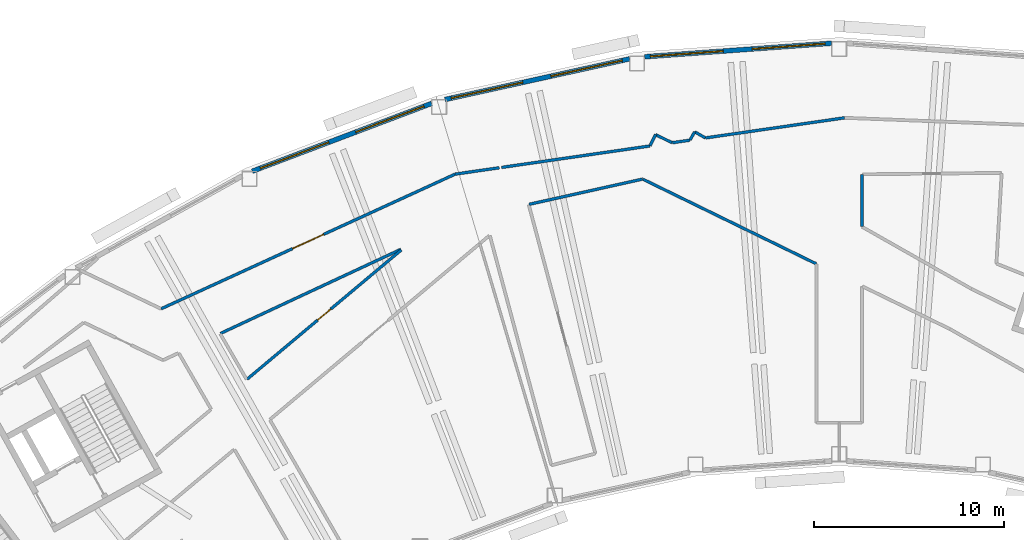
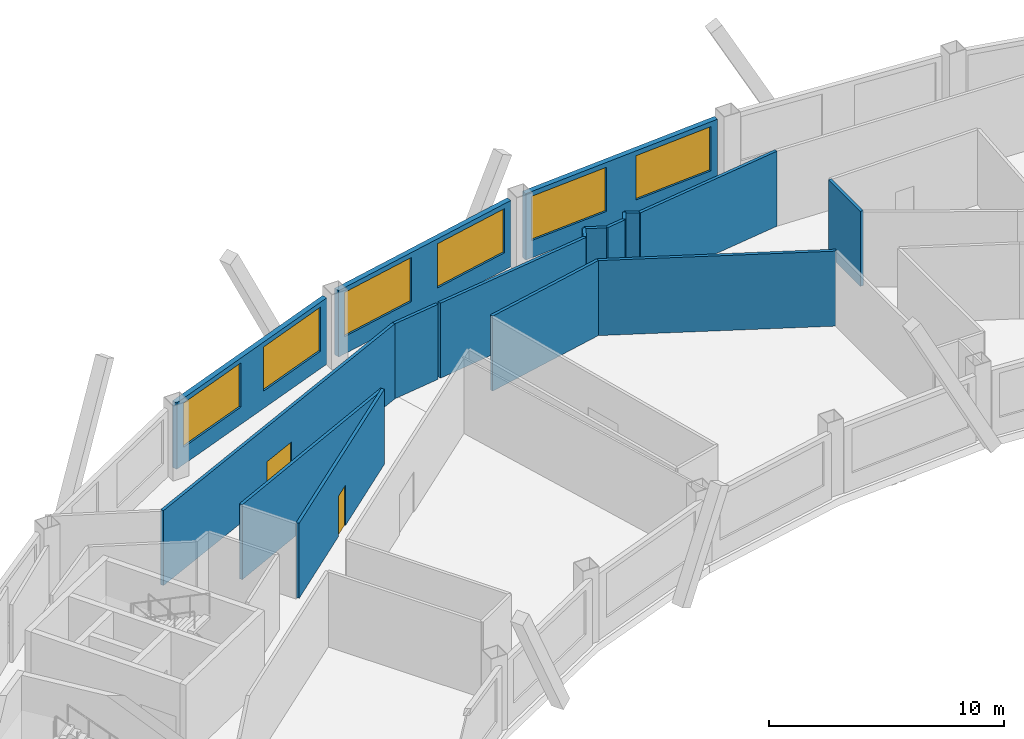
# One storey, part 7 of 13: 17 walls, 6 windows, 2 doors, 8 openings.
"""IFC4 building model written with IfcOpenShell, lengths in metres."""

from ifc_helpers import new_model, si_unit, direction, frame, frame_2d, origin, place, context, subcontext, project, spatial, rectangle, extrude, material, layer, layer_set, type_object, element, fill, save


model = new_model("IFC4")

# Units and contexts
model_context = context("Model", 3, precision=1e-05, world=origin(), true_north=direction((0.0, 1.0)))
body_context = subcontext(model_context, "Body", "Model", "MODEL_VIEW")
ifc_project = project(units=[si_unit("LENGTHUNIT", "METRE"), si_unit("AREAUNIT", "SQUARE_METRE"), si_unit("VOLUMEUNIT", "CUBIC_METRE"), si_unit("PLANEANGLEUNIT", "RADIAN"), si_unit("MASSUNIT", "GRAM", prefix="KILO")], contexts=[model_context])

# Site, building, storey
site_placement = place(None, origin())
site = spatial("IfcSite", under=ifc_project, at=site_placement, CompositionType="ELEMENT")
building_placement = place(site_placement, origin())
building = spatial("IfcBuilding", under=site, at=building_placement, Name="Tuul Gate Civic Tower", CompositionType="ELEMENT")
storey_placement = place(building_placement, frame((0.0, 0.0, 248.39990234375)))
storey = spatial("IfcBuildingStorey", under=building, at=storey_placement, Name="Level 56", CompositionType="ELEMENT", Elevation=248.39990234375)

# Walls
ifc_material_1 = material(Name="Gypsum board partition")
ifc_layer_1 = layer(ifc_material_1, 0.14990234375)
ifc_layer_set_1 = layer_set([ifc_layer_1], Name="Gypsum board partition")
wall_type_1 = type_object("IfcWallType", Name="Corridor wall P150", PredefinedType="PARTITIONING", material=ifc_layer_set_1)
wall_1_placement = place(storey_placement, frame((-9.205810546875, 6.873779296875, 0.0), z_axis=(0.0, 0.0, 1.0), x_axis=(0.989702683531, 0.143138388323, 0.0)))
element("IfcWall", 1, at=wall_1_placement, inside=storey, type_object=wall_type_1, Name="p015", PredefinedType="PARTITIONING", context=body_context, shape_type="SweptSolid", body=[
    extrude(rectangle(XDim=2.3486328125, YDim=0.14990234375, at=frame_2d((1.17431640625, 0.0))), origin(), (0.0, 0.0, 1.0), 3.900146484375),
])
wall_2_placement = place(storey_placement, frame((-6.75732421875, 7.227783203125, 0.0), z_axis=(0.0, 0.0, 1.0), x_axis=(0.989700467322, 0.143153711035, 0.0)))
element("IfcWall", 2, at=wall_2_placement, inside=storey, type_object=wall_type_1, Name="p016", PredefinedType="PARTITIONING", context=body_context, shape_type="SweptSolid", body=[
    extrude(rectangle(XDim=7.89111328125, YDim=0.14990234375, at=frame_2d((3.945556640625, 0.0))), origin(), (0.0, 0.0, 1.0), 3.900146484375),
])
wall_3_placement = place(storey_placement, frame((2.234130859375, 8.5283203125, 0.0), z_axis=(0.0, 0.0, 1.0), x_axis=(0.989713603091, 0.143062866798, 0.0)))
element("IfcWall", 3, at=wall_3_placement, inside=storey, type_object=wall_type_1, Name="p017", PredefinedType="PARTITIONING", context=body_context, shape_type="SweptSolid", body=[
    extrude(rectangle(XDim=0.936767578125, YDim=0.14990234375, at=frame_2d((0.46826171875, 0.0))), origin(), (0.0, 0.0, 1.0), 3.900146484375),
])
wall_4_placement = place(storey_placement, frame((3.98828125, 8.781982421875, 0.0), z_axis=(0.0, 0.0, 1.0), x_axis=(0.989707294465, 0.143106503289, 0.0)))
element("IfcWall", 4, at=wall_4_placement, inside=storey, type_object=wall_type_1, Name="p018", PredefinedType="PARTITIONING", context=body_context, shape_type="SweptSolid", body=[
    extrude(rectangle(XDim=7.40234375, YDim=0.14990234375, at=frame_2d((3.701171875, 0.0))), origin(), (0.0, 0.0, 1.0), 3.900146484375),
])
wall_5_placement = place(storey_placement, frame((3.415283203125, 9.103515625, 0.0), z_axis=(0.0, 0.0, 1.0), x_axis=(0.869611396189, -0.493736791842, 0.0)))
element("IfcWall", 5, at=wall_5_placement, inside=storey, type_object=wall_type_1, Name="p019", PredefinedType="PARTITIONING", context=body_context, shape_type="SweptSolid", body=[
    extrude(rectangle(XDim=0.646240234375, YDim=0.14990234375, at=frame_2d((0.3232421875, 0.0))), origin(), (0.0, 0.0, 1.0), 3.900146484375),
])
wall_6_placement = place(storey_placement, frame((3.170166015625, 8.67138671875, 0.0), z_axis=(0.0, 0.0, 1.0), x_axis=(0.4933845008, 0.869811321132, 0.0)))
element("IfcWall", 6, at=wall_6_placement, inside=storey, type_object=wall_type_1, Name="p023", PredefinedType="PARTITIONING", context=body_context, shape_type="SweptSolid", body=[
    extrude(rectangle(XDim=0.496826171875, YDim=0.14990234375, at=frame_2d((0.24853515625, 0.0))), origin(), (0.0, 0.0, 1.0), 3.900146484375),
])
wall_7_placement = place(storey_placement, frame((1.352783203125, 8.955810546875, 0.0), z_axis=(0.0, 0.0, 1.0), x_axis=(0.898664420182, -0.438636820044, 0.0)))
element("IfcWall", 7, at=wall_7_placement, inside=storey, type_object=wall_type_1, Name="p024", PredefinedType="PARTITIONING", context=body_context, shape_type="SweptSolid", body=[
    extrude(rectangle(XDim=0.97021484375, YDim=0.14990234375, at=frame_2d((0.485107421875, 0.0))), origin(), (0.0, 0.0, 1.0), 3.900146484375),
])
wall_8_placement = place(storey_placement, frame((1.064697265625, 8.3662109375, 0.0), z_axis=(0.0, 0.0, 1.0), x_axis=(0.439009938904, 0.898482205469, 0.0)))
element("IfcWall", 8, at=wall_8_placement, inside=storey, type_object=wall_type_1, Name="p026", PredefinedType="PARTITIONING", context=body_context, shape_type="SweptSolid", body=[
    extrude(rectangle(XDim=0.65625, YDim=0.14990234375, at=frame_2d((0.328125, 0.0))), origin(), (0.0, 0.0, 1.0), 3.900146484375),
])

# Wall, opening, door
wall_9_placement = place(storey_placement, frame((-20.170654296875, -3.934814453125, 0.0), z_axis=(0.0, 0.0, 1.0), x_axis=(0.766335865678, 0.642440145831, 0.0)))
wall_9 = element("IfcWall", 9, at=wall_9_placement, inside=storey, type_object=wall_type_1, Name="p028", PredefinedType="PARTITIONING", context=body_context, shape_type="SweptSolid", body=[
    extrude(rectangle(XDim=10.611328125, YDim=0.14990234375, at=frame_2d((5.3056640625, 0.0))), origin(), (0.0, 0.0, 1.0), 3.900146484375),
])
opening_1_placement = place(wall_9_placement, frame((4.855712890625, 0.0, 0.0)))
opening_1 = element("IfcOpeningElement", 10, at=opening_1_placement, cuts=wall_9, Name="Opening U-D11", PredefinedType="OPENING", context=body_context, shape_type="SweptSolid", body=[
    extrude(rectangle(XDim=0.89990234375, YDim=2.10009765625, at=frame_2d((0.449951171875, 1.050048828125))), frame((0.0, 0.0849609375, 0.0), z_axis=(0.0, -1.0, 0.0), x_axis=(1.0, 0.0, 0.0)), (0.0, 0.0, 1.0), 0.169921875),
])
ifc_material_2 = material(Name="Timber door leaf", Category="wood")
door_type_1 = type_object("IfcDoorType", Name="Door D09", OperationType="NOTDEFINED", PredefinedType="DOOR", material=ifc_material_2)
door_1_placement = place(opening_1_placement, origin())
door_1 = element("IfcDoor", 11, at=door_1_placement, inside=storey, type_object=door_type_1, Name="Door U-D11", OperationType="SINGLE_SWING_RIGHT", OverallHeight=2.10009765625, OverallWidth=0.89990234375, PredefinedType="DOOR", context=body_context, shape_type="SweptSolid", body=[
    extrude(rectangle(XDim=0.89990234375, YDim=2.10009765625, at=frame_2d((0.449951171875, 1.050048828125))), frame((0.0, 0.02490234375, 0.0), z_axis=(0.0, -1.0, 0.0), x_axis=(1.0, 0.0, 0.0)), (0.0, 0.0, 1.0), 0.050048828125),
])
fill(opening_1, door_1)

wall_10_placement = place(storey_placement, frame((-24.694091796875, -0.219970703125, 0.0), z_axis=(0.0, 0.0, 1.0), x_axis=(0.909182398531, 0.416398086212, 0.0)))
wall_10 = element("IfcWall", 12, at=wall_10_placement, inside=storey, type_object=wall_type_1, Name="p029", PredefinedType="PARTITIONING", context=body_context, shape_type="SweptSolid", body=[
    extrude(rectangle(XDim=17.035400390625, YDim=0.14990234375, at=frame_2d((8.517578125, 0.0))), origin(), (0.0, 0.0, 1.0), 3.900146484375),
])
opening_2_placement = place(wall_10_placement, frame((7.61767578125, 0.0, 0.0)))
opening_2 = element("IfcOpeningElement", 13, at=opening_2_placement, cuts=wall_10, Name="Opening U-D05", PredefinedType="OPENING", context=body_context, shape_type="SweptSolid", body=[
    extrude(rectangle(XDim=1.800048828125, YDim=2.10009765625, at=frame_2d((0.89990234375, 1.050048828125))), frame((0.0, 0.0849609375, 0.0), z_axis=(0.0, -1.0, 0.0), x_axis=(1.0, 0.0, 0.0)), (0.0, 0.0, 1.0), 0.169921875),
])
ifc_material_3 = material(Name="Timber door leaf, double", Category="wood")
door_type_2 = type_object("IfcDoorType", Name="Door D18", OperationType="DOUBLE_DOOR_SINGLE_SWING", PredefinedType="DOOR", material=ifc_material_3)
door_2_placement = place(opening_2_placement, origin())
door_2 = element("IfcDoor", 14, at=door_2_placement, inside=storey, type_object=door_type_2, Name="Door U-D05", OperationType="DOUBLE_DOOR_SINGLE_SWING", OverallHeight=2.10009765625, OverallWidth=1.800048828125, PredefinedType="DOOR", context=body_context, shape_type="SweptSolid", body=[
    extrude(rectangle(XDim=1.800048828125, YDim=2.10009765625, at=frame_2d((0.89990234375, 1.050048828125))), frame((0.0, 0.02490234375, 0.0), z_axis=(0.0, -1.0, 0.0), x_axis=(1.0, 0.0, 0.0)), (0.0, 0.0, 1.0), 0.050048828125),
])
fill(opening_2, door_2)

# Walls
wall_11_placement = place(storey_placement, frame((12.23095703125, 4.1123046875, 0.0), z_axis=(0.0, 0.0, 1.0), x_axis=(0.0, 1.0, 0.0)))
element("IfcWall", 15, at=wall_11_placement, inside=storey, type_object=wall_type_1, Name="p046", PredefinedType="PARTITIONING", context=body_context, shape_type="SweptSolid", body=[
    extrude(rectangle(XDim=2.732421875, YDim=0.14990234375, at=frame_2d((1.3662109375, 0.0))), origin(), (0.0, 0.0, 1.0), 3.900146484375),
])
wall_12_placement = place(storey_placement, frame((0.68212890625, 6.609375, 0.0), z_axis=(0.0, 0.0, 1.0), x_axis=(0.898674728338, -0.43861570041, 0.0)))
element("IfcWall", 16, at=wall_12_placement, inside=storey, type_object=wall_type_1, Name="p047", PredefinedType="PARTITIONING", context=body_context, shape_type="SweptSolid", body=[
    extrude(rectangle(XDim=10.167236328125, YDim=0.14990234375, at=frame_2d((5.08349609375, 0.0))), origin(), (0.0, 0.0, 1.0), 3.900146484375),
])
wall_13_placement = place(storey_placement, frame((-5.31103515625, 5.281982421875, 0.0), z_axis=(0.0, 0.0, 1.0), x_axis=(0.97611482286, 0.217255270574, 0.0)))
element("IfcWall", 17, at=wall_13_placement, inside=storey, type_object=wall_type_1, Name="p065", PredefinedType="PARTITIONING", context=body_context, shape_type="SweptSolid", body=[
    extrude(rectangle(XDim=6.1279296875, YDim=0.14990234375, at=frame_2d((3.06396484375, 0.0))), origin(), (0.0, 0.0, 1.0), 3.900146484375),
])
wall_14_placement = place(storey_placement, frame((-21.567626953125, -1.5185546875, 0.0), z_axis=(0.0, 0.0, 1.0), x_axis=(0.906275865887, 0.422686710118, 0.0)))
element("IfcWall", 18, at=wall_14_placement, inside=storey, type_object=wall_type_1, Name="p081", PredefinedType="PARTITIONING", context=body_context, shape_type="SweptSolid", body=[
    extrude(rectangle(XDim=10.49072265625, YDim=0.14990234375, at=frame_2d((5.245361328125, 0.0))), origin(), (0.0, 0.0, 1.0), 3.900146484375),
])

# Wall, openings, windows
ifc_material_4 = material(Name="Precast concrete C40/50", Category="concrete")
ifc_layer_2 = layer(ifc_material_4, 0.25)
ifc_layer_set_2 = layer_set([ifc_layer_2], Name="Precast concrete C40/50")
wall_type_2 = type_object("IfcWallType", Name="External wall", PredefinedType="STANDARD", material=ifc_layer_set_2)
wall_15_placement = place(storey_placement, frame((10.631103515625, 13.770751953125, 0.0), z_axis=(0.0, 0.0, 1.0), x_axis=(-0.997387687721, -0.072234343517, 0.0)))
wall_15 = element("IfcWall", 19, at=wall_15_placement, inside=storey, type_object=wall_type_2, Name="External wall", PredefinedType="STANDARD", context=body_context, shape_type="SweptSolid", body=[
    extrude(rectangle(XDim=9.8759765625, YDim=0.25, at=frame_2d((4.93798828125, 0.0))), origin(), (0.0, 0.0, 1.0), 3.4501953125),
])
opening_3_placement = place(wall_15_placement, frame((0.3505859375, 0.0, 0.89990234375)))
opening_3 = element("IfcOpeningElement", 20, at=opening_3_placement, cuts=wall_15, Name="Opening W22", PredefinedType="OPENING", context=body_context, shape_type="SweptSolid", body=[
    extrude(rectangle(XDim=3.85009765625, YDim=2.300048828125, at=frame_2d((1.925048828125, 1.14990234375))), frame((0.0, 0.135009765625, 0.0), z_axis=(0.0, -1.0, 0.0), x_axis=(1.0, 0.0, 0.0)), (0.0, 0.0, 1.0), 0.27001953125),
])
opening_4_placement = place(wall_15_placement, frame((5.72216796875, 0.0, 0.89990234375)))
opening_4 = element("IfcOpeningElement", 21, at=opening_4_placement, cuts=wall_15, Name="Opening W22", PredefinedType="OPENING", context=body_context, shape_type="SweptSolid", body=[
    extrude(rectangle(XDim=3.85009765625, YDim=2.300048828125, at=frame_2d((1.925048828125, 1.14990234375))), frame((0.0, 0.135009765625, 0.0), z_axis=(0.0, -1.0, 0.0), x_axis=(1.0, 0.0, 0.0)), (0.0, 0.0, 1.0), 0.27001953125),
])
ifc_material_5 = material(Name="Glass", Category="glass")
window_type = type_object("IfcWindowType", Name="Window W22 3850 x 2300", PartitioningType="SINGLE_PANEL", PredefinedType="WINDOW", material=ifc_material_5)
window_1_placement = place(opening_3_placement, origin())
window_1 = element("IfcWindow", 22, at=window_1_placement, inside=storey, type_object=window_type, Name="Window", OverallHeight=2.300048828125, OverallWidth=3.85009765625, PartitioningType="SINGLE_PANEL", PredefinedType="WINDOW", context=body_context, shape_type="SweptSolid", body=[
    extrude(rectangle(XDim=3.85009765625, YDim=2.300048828125, at=frame_2d((1.925048828125, 1.14990234375))), frame((0.0, 0.030029296875, 0.0), z_axis=(0.0, -1.0, 0.0), x_axis=(1.0, 0.0, 0.0)), (0.0, 0.0, 1.0), 0.06005859375),
])
fill(opening_3, window_1)
window_2_placement = place(opening_4_placement, origin())
window_2 = element("IfcWindow", 23, at=window_2_placement, inside=storey, type_object=window_type, Name="Window", OverallHeight=2.300048828125, OverallWidth=3.85009765625, PartitioningType="SINGLE_PANEL", PredefinedType="WINDOW", context=body_context, shape_type="SweptSolid", body=[
    extrude(rectangle(XDim=3.85009765625, YDim=2.300048828125, at=frame_2d((1.925048828125, 1.14990234375))), frame((0.0, 0.030029296875, 0.0), z_axis=(0.0, -1.0, 0.0), x_axis=(1.0, 0.0, 0.0)), (0.0, 0.0, 1.0), 0.06005859375),
])
fill(opening_4, window_2)

wall_16_placement = place(storey_placement, frame((-0.01904296875, 12.947265625, 0.0), z_axis=(0.0, 0.0, 1.0), x_axis=(-0.976559045146, -0.215249695339, 0.0)))
wall_16 = element("IfcWall", 24, at=wall_16_placement, inside=storey, type_object=wall_type_2, Name="External wall", PredefinedType="STANDARD", context=body_context, shape_type="SweptSolid", body=[
    extrude(rectangle(XDim=9.952880859375, YDim=0.25, at=frame_2d((4.9765625, 0.0))), origin(), (0.0, 0.0, 1.0), 3.4501953125),
])
opening_5_placement = place(wall_16_placement, frame((0.389892578125, 0.0, 0.89990234375)))
opening_5 = element("IfcOpeningElement", 25, at=opening_5_placement, cuts=wall_16, Name="Opening W22", PredefinedType="OPENING", context=body_context, shape_type="SweptSolid", body=[
    extrude(rectangle(XDim=3.85009765625, YDim=2.300048828125, at=frame_2d((1.925048828125, 1.14990234375))), frame((0.0, 0.135009765625, 0.0), z_axis=(0.0, -1.0, 0.0), x_axis=(1.0, 0.0, 0.0)), (0.0, 0.0, 1.0), 0.27001953125),
])
opening_6_placement = place(wall_16_placement, frame((5.7607421875, 0.0, 0.89990234375)))
opening_6 = element("IfcOpeningElement", 26, at=opening_6_placement, cuts=wall_16, Name="Opening W22", PredefinedType="OPENING", context=body_context, shape_type="SweptSolid", body=[
    extrude(rectangle(XDim=3.85009765625, YDim=2.300048828125, at=frame_2d((1.925048828125, 1.14990234375))), frame((0.0, 0.135009765625, 0.0), z_axis=(0.0, -1.0, 0.0), x_axis=(1.0, 0.0, 0.0)), (0.0, 0.0, 1.0), 0.27001953125),
])
window_3_placement = place(opening_5_placement, origin())
window_3 = element("IfcWindow", 27, at=window_3_placement, inside=storey, type_object=window_type, Name="Window", OverallHeight=2.300048828125, OverallWidth=3.85009765625, PartitioningType="SINGLE_PANEL", PredefinedType="WINDOW", context=body_context, shape_type="SweptSolid", body=[
    extrude(rectangle(XDim=3.85009765625, YDim=2.300048828125, at=frame_2d((1.925048828125, 1.14990234375))), frame((0.0, 0.030029296875, 0.0), z_axis=(0.0, -1.0, 0.0), x_axis=(1.0, 0.0, 0.0)), (0.0, 0.0, 1.0), 0.06005859375),
])
fill(opening_5, window_3)
window_4_placement = place(opening_6_placement, origin())
window_4 = element("IfcWindow", 28, at=window_4_placement, inside=storey, type_object=window_type, Name="Window", OverallHeight=2.300048828125, OverallWidth=3.85009765625, PartitioningType="SINGLE_PANEL", PredefinedType="WINDOW", context=body_context, shape_type="SweptSolid", body=[
    extrude(rectangle(XDim=3.85009765625, YDim=2.300048828125, at=frame_2d((1.925048828125, 1.14990234375))), frame((0.0, 0.030029296875, 0.0), z_axis=(0.0, -1.0, 0.0), x_axis=(1.0, 0.0, 0.0)), (0.0, 0.0, 1.0), 0.06005859375),
])
fill(opening_6, window_4)

wall_17_placement = place(storey_placement, frame((-10.446044921875, 10.6005859375, 0.0), z_axis=(0.0, 0.0, 1.0), x_axis=(-0.935343984789, -0.353739494712, 0.0)))
wall_17 = element("IfcWall", 29, at=wall_17_placement, inside=storey, type_object=wall_type_2, Name="External wall", PredefinedType="STANDARD", context=body_context, shape_type="SweptSolid", body=[
    extrude(rectangle(XDim=10.099365234375, YDim=0.25, at=frame_2d((5.0498046875, 0.0))), origin(), (0.0, 0.0, 1.0), 3.4501953125),
])
opening_7_placement = place(wall_17_placement, frame((0.422607421875, 0.0, 0.89990234375)))
opening_7 = element("IfcOpeningElement", 30, at=opening_7_placement, cuts=wall_17, Name="Opening W22", PredefinedType="OPENING", context=body_context, shape_type="SweptSolid", body=[
    extrude(rectangle(XDim=3.85009765625, YDim=2.300048828125, at=frame_2d((1.925048828125, 1.14990234375))), frame((0.0, 0.135009765625, 0.0), z_axis=(0.0, -1.0, 0.0), x_axis=(1.0, 0.0, 0.0)), (0.0, 0.0, 1.0), 0.27001953125),
])
opening_8_placement = place(wall_17_placement, frame((5.7939453125, 0.0, 0.89990234375)))
opening_8 = element("IfcOpeningElement", 31, at=opening_8_placement, cuts=wall_17, Name="Opening W22", PredefinedType="OPENING", context=body_context, shape_type="SweptSolid", body=[
    extrude(rectangle(XDim=3.85009765625, YDim=2.300048828125, at=frame_2d((1.925048828125, 1.14990234375))), frame((0.0, 0.135009765625, 0.0), z_axis=(0.0, -1.0, 0.0), x_axis=(1.0, 0.0, 0.0)), (0.0, 0.0, 1.0), 0.27001953125),
])
window_5_placement = place(opening_7_placement, origin())
window_5 = element("IfcWindow", 32, at=window_5_placement, inside=storey, type_object=window_type, Name="Window", OverallHeight=2.300048828125, OverallWidth=3.85009765625, PartitioningType="SINGLE_PANEL", PredefinedType="WINDOW", context=body_context, shape_type="SweptSolid", body=[
    extrude(rectangle(XDim=3.85009765625, YDim=2.300048828125, at=frame_2d((1.925048828125, 1.14990234375))), frame((0.0, 0.030029296875, 0.0), z_axis=(0.0, -1.0, 0.0), x_axis=(1.0, 0.0, 0.0)), (0.0, 0.0, 1.0), 0.06005859375),
])
fill(opening_7, window_5)
window_6_placement = place(opening_8_placement, origin())
window_6 = element("IfcWindow", 33, at=window_6_placement, inside=storey, type_object=window_type, Name="Window", OverallHeight=2.300048828125, OverallWidth=3.85009765625, PartitioningType="SINGLE_PANEL", PredefinedType="WINDOW", context=body_context, shape_type="SweptSolid", body=[
    extrude(rectangle(XDim=3.85009765625, YDim=2.300048828125, at=frame_2d((1.925048828125, 1.14990234375))), frame((0.0, 0.030029296875, 0.0), z_axis=(0.0, -1.0, 0.0), x_axis=(1.0, 0.0, 0.0)), (0.0, 0.0, 1.0), 0.06005859375),
])
fill(opening_8, window_6)

save(model, "model.ifc")
